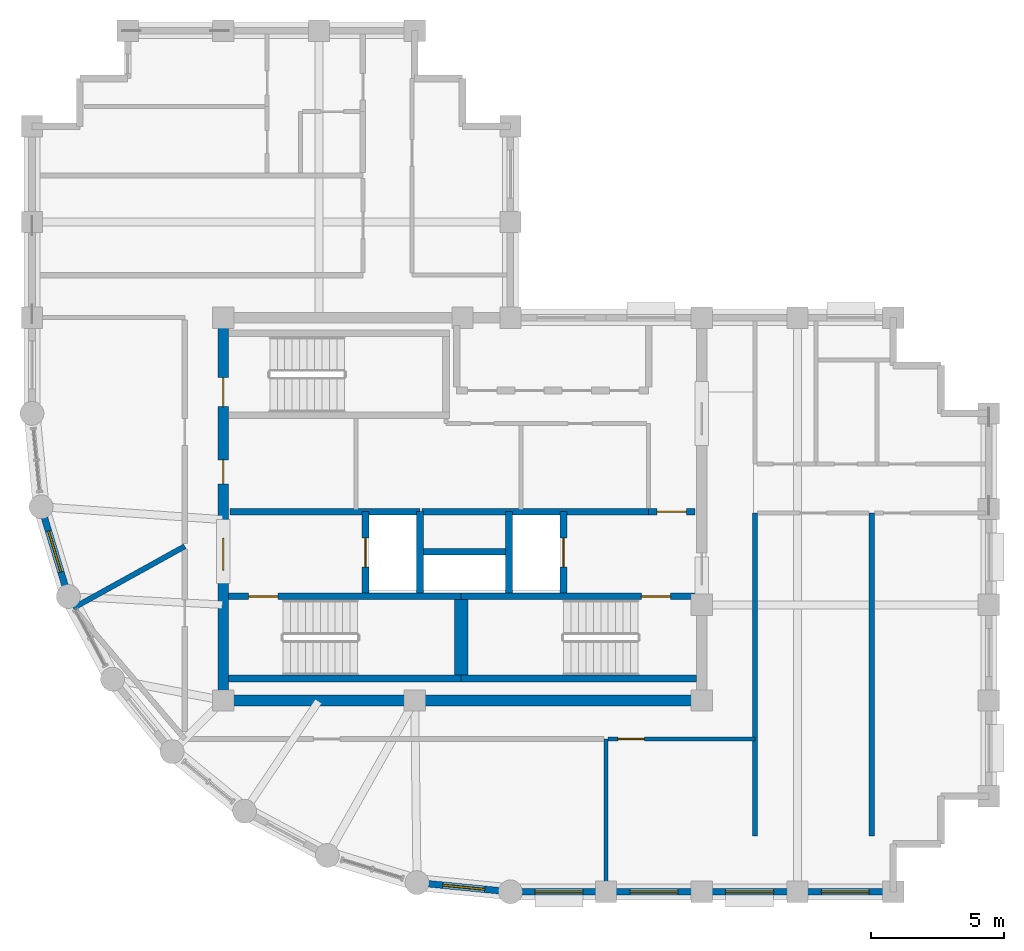
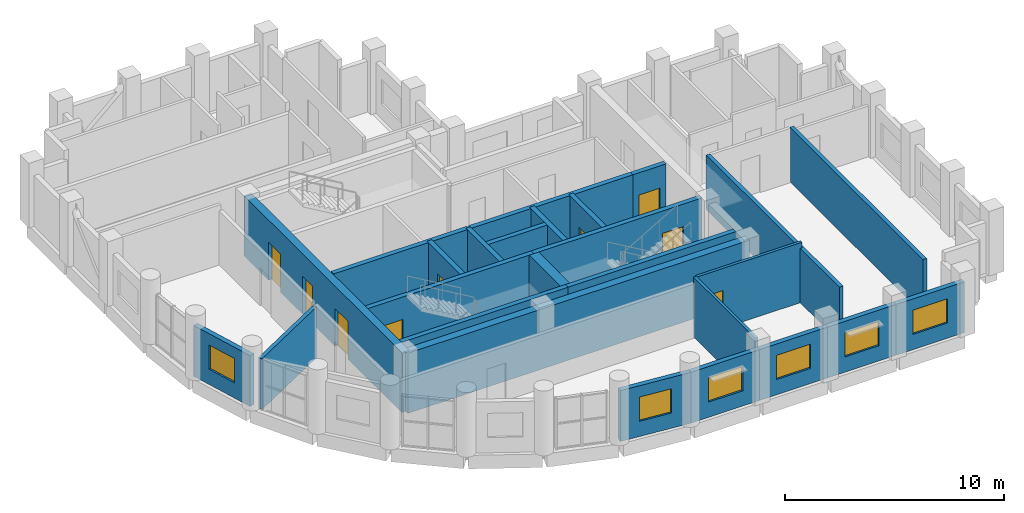
# One storey, part 7 of 11: 26 walls, 9 doors, 6 windows, 15 openings.
"""IFC4 building model written with IfcOpenShell, lengths in metres."""

import ifcopenshell
import ifcopenshell.guid

model = None  # the IFC model being written
_history = None  # IfcOwnerHistory: only IFC2X3 demands one
_inside = {}  # id of a spatial element -> (the spatial element, [elements in it])
_under = {}  # id of a project, library or spatial element -> (it, [spatial elements below it])
_declared = {}  # id of a project -> (the project, [libraries it declares])
_typed = {}  # id of a type object -> (the type object, [elements of that type])
_made_of = {}  # id of a material, layer set ... -> (it, [elements and type objects made of it])


def new_model(schema):
    """Start an empty IFC model of exactly this schema.

    Asked for "IFC4X3", IfcOpenShell would pick the latest addendum, in which some entities
    have other attributes; the version numbers below select the first issue.
    IFC2X3 requires an IfcOwnerHistory on every rooted entity: one is made here for all.
    """
    global model, _history
    if schema == "IFC4X3":
        model = ifcopenshell.file(schema_version=(4, 3, 0, 0))
    else:
        model = ifcopenshell.file(schema=schema)
    _inside.clear()
    _under.clear()
    _declared.clear()
    _typed.clear()
    _made_of.clear()
    _history = None
    if model.schema == "IFC2X3":
        org = make("IfcOrganization", Name="unknown")
        user = make(
            "IfcPersonAndOrganization",
            ThePerson=make("IfcPerson", FamilyName="unknown"),
            TheOrganization=org,
        )
        app = make(
            "IfcApplication",
            ApplicationDeveloper=org,
            Version="unknown",
            ApplicationFullName="unknown",
            ApplicationIdentifier="unknown",
        )
        _history = make(
            "IfcOwnerHistory",
            OwningUser=user,
            OwningApplication=app,
            ChangeAction="ADDED",
            CreationDate=0,
        )
    return model


def make(cls, **values):
    """One entity of the class cls with the attributes given. An attribute that is None is left unset."""
    return model.create_entity(
        cls, **{name: value for name, value in values.items() if value is not None}
    )


def rooted(cls, **values):
    """An entity with a GlobalId (a new one), such as an element, a storey or a relation."""
    return make(cls, GlobalId=ifcopenshell.guid.new(), OwnerHistory=_history, **values)


def si_unit(unit_type, name, prefix=None):
    """IfcSIUnit, for example si_unit("LENGTHUNIT", "METRE", prefix="MILLI")."""
    return make("IfcSIUnit", UnitType=unit_type, Prefix=prefix, Name=name)


def assignment(units):
    """IfcUnitAssignment: the units of a project."""
    return None if units is None else make("IfcUnitAssignment", Units=units)


def point(xyz):
    """IfcCartesianPoint."""
    return None if xyz is None else make("IfcCartesianPoint", Coordinates=xyz)


def direction(xyz):
    """IfcDirection."""
    return None if xyz is None else make("IfcDirection", DirectionRatios=xyz)


def frame(location, z_axis=None, x_axis=None):
    """IfcAxis2Placement3D, a coordinate frame: its origin and axes. An axis left out is left unset."""
    return make(
        "IfcAxis2Placement3D",
        Location=point(location),
        Axis=direction(z_axis),
        RefDirection=direction(x_axis),
    )


def frame_2d(location, x_axis=None):
    """IfcAxis2Placement2D, a coordinate frame in the plane: its origin and x axis."""
    return make(
        "IfcAxis2Placement2D", Location=point(location), RefDirection=direction(x_axis)
    )


def origin():
    """The frame at (0, 0, 0) with its axes left unset."""
    return frame((0.0, 0.0, 0.0))


def place(relative_to, where):
    """IfcLocalPlacement: puts the frame where relative to a parent placement (None: the world)."""
    return make(
        "IfcLocalPlacement", PlacementRelTo=relative_to, RelativePlacement=where
    )


def context(
    kind, dimensions, precision=None, world=None, true_north=None, identifier=None
):
    """IfcGeometricRepresentationContext, for example the 3D "Model" context."""
    return make(
        "IfcGeometricRepresentationContext",
        ContextIdentifier=identifier,
        ContextType=kind,
        CoordinateSpaceDimension=dimensions,
        Precision=precision,
        WorldCoordinateSystem=world,
        TrueNorth=true_north,
    )


def subcontext(parent, identifier, kind, view, scale=None):
    """IfcGeometricRepresentationSubContext, for example "Body" below "Model"."""
    return make(
        "IfcGeometricRepresentationSubContext",
        ContextIdentifier=identifier,
        ContextType=kind,
        ParentContext=parent,
        TargetScale=scale,
        TargetView=view,
    )


def project(units=None, contexts=None):
    """IfcProject with its units and contexts."""
    return rooted(
        "IfcProject",
        Name="project",
        RepresentationContexts=contexts,
        UnitsInContext=assignment(units),
    )


def spatial(cls, under=None, at=None, **own):
    """A site, building, storey or space (cls), placed at a placement, below another one or the project."""
    s = rooted(cls, ObjectPlacement=at, **own)
    if under is not None:
        _under.setdefault(under.id(), (under, []))[1].append(s)
    return s


def profile(cls, at=None, kind="AREA", **sizes):
    """A parametric profile (cls). Its sizes go by their IFC names, for example OverallWidth=200.0."""
    return make(cls, ProfileType=kind, Position=at, **sizes)


def rectangle(**sizes):
    """IfcRectangleProfileDef."""
    return profile("IfcRectangleProfileDef", **sizes)


def extrude(swept, where, along, depth):
    """IfcExtrudedAreaSolid: the profile swept, set in the frame where, extruded along a direction by depth."""
    return make(
        "IfcExtrudedAreaSolid",
        SweptArea=swept,
        Position=where,
        ExtrudedDirection=direction(along),
        Depth=depth,
    )


def shape(context_of_items, identifier, shape_type, items):
    """IfcShapeRepresentation: the items that make up one representation, for example the "Body"."""
    return make(
        "IfcShapeRepresentation",
        ContextOfItems=context_of_items,
        RepresentationIdentifier=identifier,
        RepresentationType=shape_type,
        Items=items,
    )


def material(Name=None, Category=None):
    """IfcMaterial."""
    return make("IfcMaterial", Name=Name, Category=Category)


def layer(
    of_material, thickness, ventilated=None, Name=None, Category=None, Priority=None
):
    """IfcMaterialLayer: one layer of a wall or slab, of a material (None: an air gap)."""
    return make(
        "IfcMaterialLayer",
        Material=of_material,
        LayerThickness=thickness,
        IsVentilated=ventilated,
        Name=Name,
        Category=Category,
        Priority=Priority,
    )


def layer_set(layers, Name=None):
    """IfcMaterialLayerSet."""
    return make("IfcMaterialLayerSet", MaterialLayers=layers, LayerSetName=Name)


def made_of(thing, what):
    """Note that an element or type object is made of a material, layer set ...; save() writes the relation."""
    if what is not None:
        _made_of.setdefault(what.id(), (what, []))[1].append(thing)
    return thing


def type_object(cls, material=None, **own):
    """A type object (cls), such as IfcWallType, which elements share."""
    return made_of(rooted(cls, **own), material)


def element(
    cls,
    number,
    at=None,
    inside=None,
    cuts=None,
    type_object=None,
    material=None,
    context=None,
    identifier="Body",
    shape_type=None,
    held_by="IfcProductDefinitionShape",
    body=None,
    shapes=None,
    **own,
):
    """One element of the class cls, such as IfcWall. Its Tag is "e" and its number.

    at: its placement. inside: the storey or other place that contains it. cuts: it is an
    opening in that element (IfcRelVoidsElement). A single representation is given by context,
    identifier, shape_type and body (its items); several are given by shapes. held_by: the class
    of the entity that holds the representations. save() writes the other relations.
    """
    e = rooted(cls, Tag="e%d" % number, ObjectPlacement=at, **own)
    if body is not None:
        shapes = [shape(context, identifier, shape_type, body)]
    if shapes is not None:
        e.Representation = make(held_by, Representations=shapes)
    if inside is not None:
        _inside.setdefault(inside.id(), (inside, []))[1].append(e)
    if cuts is not None:
        rooted(
            "IfcRelVoidsElement", RelatingBuildingElement=cuts, RelatedOpeningElement=e
        )
    if type_object is not None:
        _typed.setdefault(type_object.id(), (type_object, []))[1].append(e)
    return made_of(e, material)


def fill(opening, filler):
    """IfcRelFillsElement: the door or window that sits in an opening."""
    return rooted(
        "IfcRelFillsElement",
        RelatingOpeningElement=opening,
        RelatedBuildingElement=filler,
    )


def aggregate(whole, parts):
    """IfcRelAggregates: a whole, such as a stair, and the parts it consists of."""
    return rooted("IfcRelAggregates", RelatingObject=whole, RelatedObjects=parts)


def save(model, path):
    """Write the relations noted so far, then the file.

    IfcRelAggregates (storeys below a building ...), IfcRelContainedInSpatialStructure (elements
    in a storey), IfcRelDefinesByType, IfcRelAssociatesMaterial and IfcRelDeclares: one each for
    every whole, place, type object, material and project.
    """
    for whole, parts in _under.values():
        aggregate(whole, parts)
    for where, things in _inside.values():
        rooted(
            "IfcRelContainedInSpatialStructure",
            RelatedElements=things,
            RelatingStructure=where,
        )
    for kind, things in _typed.values():
        rooted("IfcRelDefinesByType", RelatedObjects=things, RelatingType=kind)
    for what, things in _made_of.values():
        rooted("IfcRelAssociatesMaterial", RelatedObjects=things, RelatingMaterial=what)
    for by, libraries in _declared.values():
        rooted("IfcRelDeclares", RelatingContext=by, RelatedDefinitions=libraries)
    model.write(path)


model = new_model("IFC4")

# Units and contexts
model_context = context("Model", 3, precision=1e-05, world=origin(), true_north=direction((0.0, 1.0)))
body_context = subcontext(model_context, "Body", "Model", "MODEL_VIEW")
ifc_project = project(units=[si_unit("LENGTHUNIT", "METRE"), si_unit("AREAUNIT", "SQUARE_METRE"), si_unit("VOLUMEUNIT", "CUBIC_METRE"), si_unit("PLANEANGLEUNIT", "RADIAN"), si_unit("MASSUNIT", "GRAM", prefix="KILO")], contexts=[model_context])

# Site, building, storey
site_placement = place(None, origin())
site = spatial("IfcSite", under=ifc_project, at=site_placement, CompositionType="ELEMENT")
building_placement = place(site_placement, origin())
building = spatial("IfcBuilding", under=site, at=building_placement, Name="Solnavia Interchange Tower", CompositionType="ELEMENT")
storey_placement = place(building_placement, frame((0.0, 0.0, 273.800048828125)))
storey = spatial("IfcBuildingStorey", under=building, at=storey_placement, Name="L69", CompositionType="ELEMENT", Elevation=273.800048828125)

# Walls
ifc_material_1 = material(Name="Gypsum Acoustic Twin-Stud & Mineral Wool", Category="gypsum")
ifc_layer_1 = layer(ifc_material_1, 0.199951171875)
ifc_layer_set_1 = layer_set([ifc_layer_1], Name="Gypsum Acoustic Twin-Stud & Mineral Wool")
wall_type_1 = type_object("IfcWallType", Name="Wall-ApartmentParty-200", PredefinedType="PARTITIONING", material=ifc_layer_set_1)
wall_1_placement = place(storey_placement, frame((12.949951171875, 16.60009765625, 0.0), z_axis=(0.0, 0.0, 1.0), x_axis=(-0.874941762978, -0.484228160475, 0.0)))
element("IfcWall", 1, at=wall_1_placement, inside=storey, type_object=wall_type_1, Name="PTW-L69-10 Interior partition wall", PredefinedType="PARTITIONING", context=body_context, shape_type="SweptSolid", body=[
    extrude(rectangle(XDim=4.793212890625, YDim=0.199951171875, at=frame_2d((2.396484375, 0.0))), origin(), (0.0, 0.0, 1.0), 2.829833984375),
])
for number, where, z_axis, x_axis, name in (
    (2, (34.39990234375, 5.699951171875, 0.0), (0.0, 0.0, 1.0), (0.0, 1.0, 0.0), "PTW-L69-15 Interior partition wall"),
    (3, (38.800048828125, 5.699951171875, 0.0), (0.0, 0.0, 1.0), (0.0, 1.0, 0.0), "PTW-L69-16 Interior partition wall"),
):
    element("IfcWall", number, at=place(storey_placement, frame(where, z_axis=z_axis, x_axis=x_axis)), inside=storey, type_object=wall_type_1, Name=name, PredefinedType="PARTITIONING", context=body_context, shape_type="SweptSolid", body=[
        extrude(rectangle(XDim=12.150146484375, YDim=0.199951171875, at=frame_2d((6.0751953125, 0.0))), origin(), (0.0, 0.0, 1.0), 3.030029296875),
    ])

# Wall, opening, window
ifc_material_2 = material(Name="Concrete C40/50", Category="concrete")
ifc_layer_2 = layer(ifc_material_2, 0.25)
ifc_layer_set_2 = layer_set([ifc_layer_2], Name="Concrete C40/50")
wall_type_2 = type_object("IfcWallType", Name="Wall-ExtSpandrel-250", PredefinedType="STANDARD", material=ifc_layer_set_2)
wall_2_placement = place(storey_placement, frame((28.800048828125, 3.60009765625, 0.0), z_axis=(0.0, 0.0, 1.0), x_axis=(-1.0, 0.0, 0.0)))
wall_2 = element("IfcWall", 4, at=wall_2_placement, inside=storey, type_object=wall_type_2, Name="EXW-L69-01 Exterior precast spandrel wall", PredefinedType="STANDARD", context=body_context, shape_type="SweptSolid", body=[
    extrude(rectangle(XDim=3.60009765625, YDim=0.25, at=frame_2d((1.800048828125, 0.0))), origin(), (0.0, 0.0, 1.0), 2.829833984375),
])
opening_1_placement = place(wall_2_placement, frame((0.875, 0.0, 0.85009765625)))
opening_1 = element("IfcOpeningElement", 5, at=opening_1_placement, cuts=wall_2, Name="Opening WIN-02", PredefinedType="OPENING", context=body_context, shape_type="SweptSolid", body=[
    extrude(rectangle(XDim=1.800048828125, YDim=1.35009765625, at=frame_2d((0.89990234375, 0.675048828125))), frame((0.0, 0.135009765625, 0.0), z_axis=(0.0, -1.0, 0.0), x_axis=(1.0, 0.0, 0.0)), (0.0, 0.0, 1.0), 0.27001953125),
])
ifc_material_3 = material(Name="Thermal-Break Aluminium & Low-E Glass", Category="aluminium")
window_type_1 = type_object("IfcWindowType", Name="Window-Ribbon-1800x1350", PartitioningType="SINGLE_PANEL", PredefinedType="WINDOW", material=ifc_material_3)
window_1_placement = place(opening_1_placement, origin())
window_1 = element("IfcWindow", 6, at=window_1_placement, inside=storey, type_object=window_type_1, Name="WIN-L69-01 Facade ribbon window", OverallHeight=1.35009765625, OverallWidth=1.800048828125, PartitioningType="SINGLE_PANEL", PredefinedType="WINDOW", context=body_context, shape_type="SweptSolid", body=[
    extrude(rectangle(XDim=1.800048828125, YDim=1.35009765625, at=frame_2d((0.89990234375, 0.675048828125))), frame((0.0, 0.030029296875, 0.0), z_axis=(0.0, -1.0, 0.0), x_axis=(1.0, 0.0, 0.0)), (0.0, 0.0, 1.0), 0.06005859375),
])
fill(opening_1, window_1)

wall_3_placement = place(storey_placement, frame((32.39990234375, 3.60009765625, 0.0), z_axis=(0.0, 0.0, 1.0), x_axis=(-1.0, 0.0, 0.0)))
wall_3 = element("IfcWall", 7, at=wall_3_placement, inside=storey, type_object=wall_type_2, Name="EXW-L69-02 Exterior precast spandrel wall", PredefinedType="STANDARD", context=body_context, shape_type="SweptSolid", body=[
    extrude(rectangle(XDim=3.599853515625, YDim=0.25, at=frame_2d((1.7998046875, 0.0))), origin(), (0.0, 0.0, 1.0), 2.829833984375),
])
opening_2_placement = place(wall_3_placement, frame((0.89990234375, 0.0, 0.85009765625)))
opening_2 = element("IfcOpeningElement", 8, at=opening_2_placement, cuts=wall_3, Name="Opening WIN-02", PredefinedType="OPENING", context=body_context, shape_type="SweptSolid", body=[
    extrude(rectangle(XDim=1.800048828125, YDim=1.35009765625, at=frame_2d((0.89990234375, 0.675048828125))), frame((0.0, 0.135009765625, 0.0), z_axis=(0.0, -1.0, 0.0), x_axis=(1.0, 0.0, 0.0)), (0.0, 0.0, 1.0), 0.27001953125),
])
window_2_placement = place(opening_2_placement, origin())
window_2 = element("IfcWindow", 9, at=window_2_placement, inside=storey, type_object=window_type_1, Name="WIN-L69-02 Facade ribbon window", OverallHeight=1.35009765625, OverallWidth=1.800048828125, PartitioningType="SINGLE_PANEL", PredefinedType="WINDOW", context=body_context, shape_type="SweptSolid", body=[
    extrude(rectangle(XDim=1.800048828125, YDim=1.35009765625, at=frame_2d((0.89990234375, 0.675048828125))), frame((0.0, 0.030029296875, 0.0), z_axis=(0.0, -1.0, 0.0), x_axis=(1.0, 0.0, 0.0)), (0.0, 0.0, 1.0), 0.06005859375),
])
fill(opening_2, window_2)

wall_4_placement = place(storey_placement, frame((36.0, 3.60009765625, 0.0), z_axis=(0.0, 0.0, 1.0), x_axis=(-1.0, 0.0, 0.0)))
wall_4 = element("IfcWall", 10, at=wall_4_placement, inside=storey, type_object=wall_type_2, Name="EXW-L69-03 Exterior precast spandrel wall", PredefinedType="STANDARD", context=body_context, shape_type="SweptSolid", body=[
    extrude(rectangle(XDim=3.60009765625, YDim=0.25, at=frame_2d((1.800048828125, 0.0))), origin(), (0.0, 0.0, 1.0), 2.829833984375),
])
opening_3_placement = place(wall_4_placement, frame((0.89990234375, 0.0, 0.85009765625)))
opening_3 = element("IfcOpeningElement", 11, at=opening_3_placement, cuts=wall_4, Name="Opening WIN-02", PredefinedType="OPENING", context=body_context, shape_type="SweptSolid", body=[
    extrude(rectangle(XDim=1.800048828125, YDim=1.35009765625, at=frame_2d((0.89990234375, 0.675048828125))), frame((0.0, 0.135009765625, 0.0), z_axis=(0.0, -1.0, 0.0), x_axis=(1.0, 0.0, 0.0)), (0.0, 0.0, 1.0), 0.27001953125),
])
window_3_placement = place(opening_3_placement, origin())
window_3 = element("IfcWindow", 12, at=window_3_placement, inside=storey, type_object=window_type_1, Name="WIN-L69-03 Facade ribbon window", OverallHeight=1.35009765625, OverallWidth=1.800048828125, PartitioningType="SINGLE_PANEL", PredefinedType="WINDOW", context=body_context, shape_type="SweptSolid", body=[
    extrude(rectangle(XDim=1.800048828125, YDim=1.35009765625, at=frame_2d((0.89990234375, 0.675048828125))), frame((0.0, 0.030029296875, 0.0), z_axis=(0.0, -1.0, 0.0), x_axis=(1.0, 0.0, 0.0)), (0.0, 0.0, 1.0), 0.06005859375),
])
fill(opening_3, window_3)

wall_5_placement = place(storey_placement, frame((39.60009765625, 3.60009765625, 0.0), z_axis=(0.0, 0.0, 1.0), x_axis=(-1.0, 0.0, 0.0)))
wall_5 = element("IfcWall", 13, at=wall_5_placement, inside=storey, type_object=wall_type_2, Name="EXW-L69-04 Exterior precast spandrel wall", PredefinedType="STANDARD", context=body_context, shape_type="SweptSolid", body=[
    extrude(rectangle(XDim=3.60009765625, YDim=0.25, at=frame_2d((1.800048828125, 0.0))), origin(), (0.0, 0.0, 1.0), 2.829833984375),
])
opening_4_placement = place(wall_5_placement, frame((0.89990234375, 0.0, 0.85009765625)))
opening_4 = element("IfcOpeningElement", 14, at=opening_4_placement, cuts=wall_5, Name="Opening WIN-02", PredefinedType="OPENING", context=body_context, shape_type="SweptSolid", body=[
    extrude(rectangle(XDim=1.800048828125, YDim=1.35009765625, at=frame_2d((0.89990234375, 0.675048828125))), frame((0.0, 0.135009765625, 0.0), z_axis=(0.0, -1.0, 0.0), x_axis=(1.0, 0.0, 0.0)), (0.0, 0.0, 1.0), 0.27001953125),
])
window_4_placement = place(opening_4_placement, origin())
window_4 = element("IfcWindow", 15, at=window_4_placement, inside=storey, type_object=window_type_1, Name="WIN-L69-04 Facade ribbon window", OverallHeight=1.35009765625, OverallWidth=1.800048828125, PartitioningType="SINGLE_PANEL", PredefinedType="WINDOW", context=body_context, shape_type="SweptSolid", body=[
    extrude(rectangle(XDim=1.800048828125, YDim=1.35009765625, at=frame_2d((0.89990234375, 0.675048828125))), frame((0.0, 0.030029296875, 0.0), z_axis=(0.0, -1.0, 0.0), x_axis=(1.0, 0.0, 0.0)), (0.0, 0.0, 1.0), 0.06005859375),
])
fill(opening_4, window_4)

wall_6_placement = place(storey_placement, frame((8.570068359375, 14.7119140625, 0.0), z_axis=(0.0, 0.0, 1.0), x_axis=(-0.290305086481, 0.956934144423, 0.0)))
wall_6 = element("IfcWall", 16, at=wall_6_placement, inside=storey, type_object=wall_type_2, Name="EXW-L69-38 Exterior precast spandrel wall", PredefinedType="STANDARD", context=body_context, shape_type="SweptSolid", body=[
    extrude(rectangle(XDim=3.52783203125, YDim=0.25, at=frame_2d((1.763916015625, 0.0))), origin(), (0.0, 0.0, 1.0), 2.829833984375),
])
opening_5_placement = place(wall_6_placement, frame((0.964111328125, 0.0, 0.85009765625)))
opening_5 = element("IfcOpeningElement", 17, at=opening_5_placement, cuts=wall_6, Name="Opening WIN-04", PredefinedType="OPENING", context=body_context, shape_type="SweptSolid", body=[
    extrude(rectangle(XDim=1.60009765625, YDim=1.35009765625, at=frame_2d((0.800048828125, 0.675048828125))), frame((0.0, 0.135009765625, 0.0), z_axis=(0.0, -1.0, 0.0), x_axis=(1.0, 0.0, 0.0)), (0.0, 0.0, 1.0), 0.27001953125),
])
window_type_2 = type_object("IfcWindowType", Name="Window-Drum-1600x1350", PartitioningType="SINGLE_PANEL", PredefinedType="WINDOW", material=ifc_material_3)
window_5_placement = place(opening_5_placement, origin())
window_5 = element("IfcWindow", 18, at=window_5_placement, inside=storey, type_object=window_type_2, Name="WIN-L69-38 Facade ribbon window", OverallHeight=1.35009765625, OverallWidth=1.60009765625, PartitioningType="SINGLE_PANEL", PredefinedType="WINDOW", context=body_context, shape_type="SweptSolid", body=[
    extrude(rectangle(XDim=1.60009765625, YDim=1.35009765625, at=frame_2d((0.800048828125, 0.675048828125))), frame((0.0, 0.030029296875, 0.0), z_axis=(0.0, -1.0, 0.0), x_axis=(1.0, 0.0, 0.0)), (0.0, 0.0, 1.0), 0.06005859375),
])
fill(opening_5, window_5)

wall_7_placement = place(storey_placement, frame((25.199951171875, 3.60009765625, 0.0), z_axis=(0.0, 0.0, 1.0), x_axis=(-0.995183369056, 0.098030923459, 0.0)))
wall_7 = element("IfcWall", 19, at=wall_7_placement, inside=storey, type_object=wall_type_2, Name="EXW-L69-44 Exterior precast spandrel wall", PredefinedType="STANDARD", context=body_context, shape_type="SweptSolid", body=[
    extrude(rectangle(XDim=3.529052734375, YDim=0.25, at=frame_2d((1.7646484375, 0.0))), origin(), (0.0, 0.0, 1.0), 2.829833984375),
])
opening_6_placement = place(wall_7_placement, frame((0.965087890625, 0.0, 0.85009765625)))
opening_6 = element("IfcOpeningElement", 20, at=opening_6_placement, cuts=wall_7, Name="Opening WIN-04", PredefinedType="OPENING", context=body_context, shape_type="SweptSolid", body=[
    extrude(rectangle(XDim=1.60009765625, YDim=1.35009765625, at=frame_2d((0.800048828125, 0.675048828125))), frame((0.0, 0.135009765625, 0.0), z_axis=(0.0, -1.0, 0.0), x_axis=(1.0, 0.0, 0.0)), (0.0, 0.0, 1.0), 0.27001953125),
])
window_6_placement = place(opening_6_placement, origin())
window_6 = element("IfcWindow", 21, at=window_6_placement, inside=storey, type_object=window_type_2, Name="WIN-L69-44 Facade ribbon window", OverallHeight=1.35009765625, OverallWidth=1.60009765625, PartitioningType="SINGLE_PANEL", PredefinedType="WINDOW", context=body_context, shape_type="SweptSolid", body=[
    extrude(rectangle(XDim=1.60009765625, YDim=1.35009765625, at=frame_2d((0.800048828125, 0.675048828125))), frame((0.0, 0.030029296875, 0.0), z_axis=(0.0, -1.0, 0.0), x_axis=(1.0, 0.0, 0.0)), (0.0, 0.0, 1.0), 0.06005859375),
])
fill(opening_6, window_6)

# Wall
ifc_material_4 = material(Name="Gypsum Plasterboard & Steel Stud", Category="steel")
ifc_layer_3 = layer(ifc_material_4, 0.14990234375)
ifc_layer_set_3 = layer_set([ifc_layer_3], Name="Gypsum Plasterboard & Steel Stud")
wall_type_3 = type_object("IfcWallType", Name="Wall-Partition-150", PredefinedType="PARTITIONING", material=ifc_layer_set_3)
wall_8_placement = place(storey_placement, frame((28.800048828125, 9.35009765625, 0.0), z_axis=(0.0, 0.0, 1.0), x_axis=(0.0, -1.0, 0.0)))
element("IfcWall", 22, at=wall_8_placement, inside=storey, type_object=wall_type_3, Name="PTW-L69-08 Interior partition wall", PredefinedType="PARTITIONING", context=body_context, shape_type="SweptSolid", body=[
    extrude(rectangle(XDim=5.62109375, YDim=0.14990234375, at=frame_2d((2.810546875, 0.0))), origin(), (0.0, 0.0, 1.0), 3.3349609375),
])

# Wall, opening, door
wall_9_placement = place(storey_placement, frame((28.87890625, 9.35009765625, 0.0), z_axis=(0.0, 0.0, 1.0), x_axis=(1.0, 0.0, 0.0)))
wall_9 = element("IfcWall", 23, at=wall_9_placement, inside=storey, type_object=wall_type_3, Name="PTW-L69-14 Interior partition wall", PredefinedType="PARTITIONING", context=body_context, shape_type="SweptSolid", body=[
    extrude(rectangle(XDim=5.52099609375, YDim=0.14990234375, at=frame_2d((2.760498046875, 0.0))), origin(), (0.0, 0.0, 1.0), 3.3349609375),
])
opening_7_placement = place(wall_9_placement, frame((0.360107421875, 0.0, 0.0)))
opening_7 = element("IfcOpeningElement", 24, at=opening_7_placement, cuts=wall_9, Name="Opening DR-07", PredefinedType="OPENING", context=body_context, shape_type="SweptSolid", body=[
    extrude(rectangle(XDim=1.0, YDim=2.10009765625, at=frame_2d((0.5, 1.050048828125))), frame((0.0, 0.0849609375, 0.0), z_axis=(0.0, -1.0, 0.0), x_axis=(1.0, 0.0, 0.0)), (0.0, 0.0, 1.0), 0.169921875),
])
ifc_material_5 = material(Name="Timber & Acoustic Glazed Office Door", Category="wood")
door_type_1 = type_object("IfcDoorType", Name="Door-Office-1000x2100", OperationType="SINGLE_SWING_RIGHT", PredefinedType="DOOR", material=ifc_material_5)
door_1_placement = place(opening_7_placement, origin())
door_1 = element("IfcDoor", 25, at=door_1_placement, inside=storey, type_object=door_type_1, Name="DR-L69-06 Interior room door", OperationType="SINGLE_SWING_LEFT", OverallHeight=2.10009765625, OverallWidth=1.0, PredefinedType="DOOR", context=body_context, shape_type="SweptSolid", body=[
    extrude(rectangle(XDim=1.0, YDim=2.10009765625, at=frame_2d((0.5, 1.050048828125))), frame((0.0, 0.02490234375, 0.0), z_axis=(0.0, -1.0, 0.0), x_axis=(1.0, 0.0, 0.0)), (0.0, 0.0, 1.0), 0.050048828125),
])
fill(opening_7, door_1)

# Wall
ifc_layer_4 = layer(ifc_material_2, 0.25)
ifc_layer_set_4 = layer_set([ifc_layer_4], Name="Concrete C40/50")
wall_type_4 = type_object("IfcWallType", Name="Wall-ShaftCore-250", PredefinedType="SHEAR", material=ifc_layer_set_4)
wall_10_placement = place(storey_placement, frame((14.60009765625, 11.625, 0.0), z_axis=(0.0, 0.0, 1.0), x_axis=(1.0, 0.0, 0.0)))
element("IfcWall", 26, at=wall_10_placement, inside=storey, type_object=wall_type_4, Name="SHW-L69-ST1S Core shear wall", PredefinedType="SHEAR", context=body_context, shape_type="SweptSolid", body=[
    extrude(rectangle(XDim=8.75, YDim=0.25, at=frame_2d((4.375, 0.0))), origin(), (0.0, 0.0, 1.0), 3.349853515625),
])

# Wall, opening, door
wall_11_placement = place(storey_placement, frame((14.60009765625, 14.715087890625, 0.0), z_axis=(0.0, 0.0, 1.0), x_axis=(1.0, 0.0, 0.0)))
wall_11 = element("IfcWall", 27, at=wall_11_placement, inside=storey, type_object=wall_type_4, Name="SHW-L69-ST1N Core shear wall", PredefinedType="SHEAR", context=body_context, shape_type="SweptSolid", body=[
    extrude(rectangle(XDim=8.75, YDim=0.25, at=frame_2d((4.375, 0.0))), origin(), (0.0, 0.0, 1.0), 3.349853515625),
])
opening_8_placement = place(wall_11_placement, frame((0.7548828125, 0.0, 0.0)))
opening_8 = element("IfcOpeningElement", 28, at=opening_8_placement, cuts=wall_11, Name="Opening DR-01", PredefinedType="OPENING", context=body_context, shape_type="SweptSolid", body=[
    extrude(rectangle(XDim=1.10009765625, YDim=2.10009765625, at=frame_2d((0.550048828125, 1.050048828125))), frame((0.0, 0.135009765625, 0.0), z_axis=(0.0, -1.0, 0.0), x_axis=(1.0, 0.0, 0.0)), (0.0, 0.0, 1.0), 0.27001953125),
])
ifc_material_6 = material(Name="Steel Fire-Rated Leaf & Frame", Category="steel")
door_type_2 = type_object("IfcDoorType", Name="Door-StairFire-1100x2100", OperationType="SINGLE_SWING_LEFT", PredefinedType="DOOR", material=ifc_material_6)
door_2_placement = place(opening_8_placement, origin())
door_2 = element("IfcDoor", 29, at=door_2_placement, inside=storey, type_object=door_type_2, Name="DR-L69-ST1 Core fire door", OperationType="SINGLE_SWING_LEFT", OverallHeight=2.10009765625, OverallWidth=1.10009765625, PredefinedType="DOOR", context=body_context, shape_type="SweptSolid", body=[
    extrude(rectangle(XDim=1.10009765625, YDim=2.10009765625, at=frame_2d((0.550048828125, 1.050048828125))), frame((0.0, 0.02490234375, 0.0), z_axis=(0.0, -1.0, 0.0), x_axis=(1.0, 0.0, 0.0)), (0.0, 0.0, 1.0), 0.050048828125),
])
fill(opening_8, door_2)

# Wall
wall_12_placement = place(storey_placement, frame((23.35009765625, 11.625, 0.0), z_axis=(0.0, 0.0, 1.0), x_axis=(1.0, 0.0, 0.0)))
element("IfcWall", 30, at=wall_12_placement, inside=storey, type_object=wall_type_4, Name="SHW-L69-ST2S Core shear wall", PredefinedType="SHEAR", context=body_context, shape_type="SweptSolid", body=[
    extrude(rectangle(XDim=8.849853515625, YDim=0.25, at=frame_2d((4.4248046875, 0.0))), origin(), (0.0, 0.0, 1.0), 3.349853515625),
])

# Wall, opening, door
wall_13_placement = place(storey_placement, frame((23.35009765625, 14.715087890625, 0.0), z_axis=(0.0, 0.0, 1.0), x_axis=(1.0, 0.0, 0.0)))
wall_13 = element("IfcWall", 31, at=wall_13_placement, inside=storey, type_object=wall_type_4, Name="SHW-L69-ST2N Core shear wall", PredefinedType="SHEAR", context=body_context, shape_type="SweptSolid", body=[
    extrude(rectangle(XDim=8.849853515625, YDim=0.25, at=frame_2d((4.4248046875, 0.0))), origin(), (0.0, 0.0, 1.0), 3.349853515625),
])
opening_9_placement = place(wall_13_placement, frame((6.77490234375, 0.0, 0.0)))
opening_9 = element("IfcOpeningElement", 32, at=opening_9_placement, cuts=wall_13, Name="Opening DR-01", PredefinedType="OPENING", context=body_context, shape_type="SweptSolid", body=[
    extrude(rectangle(XDim=1.10009765625, YDim=2.10009765625, at=frame_2d((0.550048828125, 1.050048828125))), frame((0.0, 0.135009765625, 0.0), z_axis=(0.0, -1.0, 0.0), x_axis=(1.0, 0.0, 0.0)), (0.0, 0.0, 1.0), 0.27001953125),
])
door_3_placement = place(opening_9_placement, origin())
door_3 = element("IfcDoor", 33, at=door_3_placement, inside=storey, type_object=door_type_2, Name="DR-L69-ST2 Core fire door", OperationType="SINGLE_SWING_LEFT", OverallHeight=2.10009765625, OverallWidth=1.10009765625, PredefinedType="DOOR", context=body_context, shape_type="SweptSolid", body=[
    extrude(rectangle(XDim=1.10009765625, YDim=2.10009765625, at=frame_2d((0.550048828125, 1.050048828125))), frame((0.0, 0.02490234375, 0.0), z_axis=(0.0, -1.0, 0.0), x_axis=(1.0, 0.0, 0.0)), (0.0, 0.0, 1.0), 0.050048828125),
])
fill(opening_9, door_3)

# Wall
ifc_layer_5 = layer(ifc_material_2, 0.25)
ifc_layer_set_5 = layer_set([ifc_layer_5], Name="Concrete C40/50")
wall_type_5 = type_object("IfcWallType", Name="Wall-ShaftPart-250", PredefinedType="PARTITIONING", material=ifc_layer_set_5)
wall_14_placement = place(storey_placement, frame((14.64990234375, 17.89990234375, 0.0), z_axis=(0.0, 0.0, 1.0), x_axis=(1.0, 0.0, 0.0)))
element("IfcWall", 34, at=wall_14_placement, inside=storey, type_object=wall_type_5, Name="SHW-L69-FFLW-N Core shaft wall", PredefinedType="PARTITIONING", context=body_context, shape_type="SweptSolid", body=[
    extrude(rectangle(XDim=7.150146484375, YDim=0.25, at=frame_2d((3.5751953125, 0.0))), origin(), (0.0, 0.0, 1.0), 3.3349609375),
])

# Wall, opening, door
wall_15_placement = place(storey_placement, frame((19.75, 14.840087890625, 0.0), z_axis=(0.0, 0.0, 1.0), x_axis=(0.0, 1.0, 0.0)))
wall_15 = element("IfcWall", 35, at=wall_15_placement, inside=storey, type_object=wall_type_5, Name="SHW-L69-FFL1-W Core shaft wall", PredefinedType="PARTITIONING", context=body_context, shape_type="SweptSolid", body=[
    extrude(rectangle(XDim=3.059814453125, YDim=0.25, at=frame_2d((1.52978515625, 0.0))), origin(), (0.0, 0.0, 1.0), 3.3349609375),
])
opening_10_placement = place(wall_15_placement, frame((0.97998046875, 0.0, 0.0)))
opening_10 = element("IfcOpeningElement", 36, at=opening_10_placement, cuts=wall_15, Name="Opening LD-01", PredefinedType="OPENING", context=body_context, shape_type="SweptSolid", body=[
    extrude(rectangle(XDim=1.10009765625, YDim=2.10009765625, at=frame_2d((0.550048828125, 1.050048828125))), frame((0.0, 0.135009765625, 0.0), z_axis=(0.0, -1.0, 0.0), x_axis=(1.0, 0.0, 0.0)), (0.0, 0.0, 1.0), 0.27001953125),
])
ifc_material_7 = material(Name="Brushed Stainless Steel Sliding Door", Category="steel")
door_type_3 = type_object("IfcDoorType", Name="Door-LiftLanding-1100x2100", OperationType="SLIDING_TO_LEFT", PredefinedType="DOOR", material=ifc_material_7)
door_4_placement = place(opening_10_placement, origin())
door_4 = element("IfcDoor", 37, at=door_4_placement, inside=storey, type_object=door_type_3, Name="LD-L69-FFL1 Lift landing sliding door", OperationType="SLIDING_TO_LEFT", OverallHeight=2.10009765625, OverallWidth=1.10009765625, PredefinedType="DOOR", context=body_context, shape_type="SweptSolid", body=[
    extrude(rectangle(XDim=1.10009765625, YDim=2.10009765625, at=frame_2d((0.550048828125, 1.050048828125))), frame((0.0, 0.02490234375, 0.0), z_axis=(0.0, -1.0, 0.0), x_axis=(1.0, 0.0, 0.0)), (0.0, 0.0, 1.0), 0.050048828125),
])
fill(opening_10, door_4)

# Walls
wall_16_placement = place(storey_placement, frame((21.800048828125, 14.840087890625, 0.0), z_axis=(0.0, 0.0, 1.0), x_axis=(0.0, 1.0, 0.0)))
element("IfcWall", 38, at=wall_16_placement, inside=storey, type_object=wall_type_5, Name="SHW-L69-FFL1-E Core shaft wall", PredefinedType="PARTITIONING", context=body_context, shape_type="SweptSolid", body=[
    extrude(rectangle(XDim=3.059814453125, YDim=0.25, at=frame_2d((1.52978515625, 0.0))), origin(), (0.0, 0.0, 1.0), 3.3349609375),
])
wall_17_placement = place(storey_placement, frame((21.8798828125, 17.89990234375, 0.0), z_axis=(0.0, 0.0, 1.0), x_axis=(1.0, 0.0, 0.0)))
element("IfcWall", 39, at=wall_17_placement, inside=storey, type_object=wall_type_5, Name="SHW-L69-FFLE-N1 Core shaft wall", PredefinedType="PARTITIONING", context=body_context, shape_type="SweptSolid", body=[
    extrude(rectangle(XDim=8.52001953125, YDim=0.25, at=frame_2d((4.260009765625, 0.0))), origin(), (0.0, 0.0, 1.0), 3.3349609375),
])

# Wall, opening, door
wall_18_placement = place(storey_placement, frame((30.39990234375, 17.89990234375, 0.0), z_axis=(0.0, 0.0, 1.0), x_axis=(1.0, 0.0, 0.0)))
wall_18 = element("IfcWall", 40, at=wall_18_placement, inside=storey, type_object=wall_type_5, Name="SHW-L69-FFLE-N2 Core shaft wall", PredefinedType="PARTITIONING", context=body_context, shape_type="SweptSolid", body=[
    extrude(rectangle(XDim=1.75, YDim=0.25, at=frame_2d((0.875, 0.0))), origin(), (0.0, 0.0, 1.0), 3.3349609375),
])
opening_11_placement = place(wall_18_placement, frame((0.320068359375, 0.0, 0.0)))
opening_11 = element("IfcOpeningElement", 41, at=opening_11_placement, cuts=wall_18, Name="Opening DR-01", PredefinedType="OPENING", context=body_context, shape_type="SweptSolid", body=[
    extrude(rectangle(XDim=1.10009765625, YDim=2.10009765625, at=frame_2d((0.550048828125, 1.050048828125))), frame((0.0, 0.135009765625, 0.0), z_axis=(0.0, -1.0, 0.0), x_axis=(1.0, 0.0, 0.0)), (0.0, 0.0, 1.0), 0.27001953125),
])
door_5_placement = place(opening_11_placement, origin())
door_5 = element("IfcDoor", 42, at=door_5_placement, inside=storey, type_object=door_type_2, Name="DR-L69-LLC Core fire door", OperationType="SINGLE_SWING_LEFT", OverallHeight=2.10009765625, OverallWidth=1.10009765625, PredefinedType="DOOR", context=body_context, shape_type="SweptSolid", body=[
    extrude(rectangle(XDim=1.10009765625, YDim=2.10009765625, at=frame_2d((0.550048828125, 1.050048828125))), frame((0.0, 0.02490234375, 0.0), z_axis=(0.0, -1.0, 0.0), x_axis=(1.0, 0.0, 0.0)), (0.0, 0.0, 1.0), 0.050048828125),
])
fill(opening_11, door_5)

# Wall
wall_19_placement = place(storey_placement, frame((25.14990234375, 14.840087890625, 0.0), z_axis=(0.0, 0.0, 1.0), x_axis=(0.0, 1.0, 0.0)))
element("IfcWall", 43, at=wall_19_placement, inside=storey, type_object=wall_type_5, Name="SHW-L69-FFL2-W Core shaft wall", PredefinedType="PARTITIONING", context=body_context, shape_type="SweptSolid", body=[
    extrude(rectangle(XDim=3.059814453125, YDim=0.25, at=frame_2d((1.52978515625, 0.0))), origin(), (0.0, 0.0, 1.0), 3.3349609375),
])

# Wall, opening, door
wall_20_placement = place(storey_placement, frame((27.199951171875, 14.840087890625, 0.0), z_axis=(0.0, 0.0, 1.0), x_axis=(0.0, 1.0, 0.0)))
wall_20 = element("IfcWall", 44, at=wall_20_placement, inside=storey, type_object=wall_type_5, Name="SHW-L69-FFL2-E Core shaft wall", PredefinedType="PARTITIONING", context=body_context, shape_type="SweptSolid", body=[
    extrude(rectangle(XDim=3.059814453125, YDim=0.25, at=frame_2d((1.52978515625, 0.0))), origin(), (0.0, 0.0, 1.0), 3.3349609375),
])
opening_12_placement = place(wall_20_placement, frame((0.97998046875, 0.0, 0.0)))
opening_12 = element("IfcOpeningElement", 45, at=opening_12_placement, cuts=wall_20, Name="Opening LD-01", PredefinedType="OPENING", context=body_context, shape_type="SweptSolid", body=[
    extrude(rectangle(XDim=1.10009765625, YDim=2.10009765625, at=frame_2d((0.550048828125, 1.050048828125))), frame((0.0, 0.135009765625, 0.0), z_axis=(0.0, -1.0, 0.0), x_axis=(1.0, 0.0, 0.0)), (0.0, 0.0, 1.0), 0.27001953125),
])
door_6_placement = place(opening_12_placement, origin())
door_6 = element("IfcDoor", 46, at=door_6_placement, inside=storey, type_object=door_type_3, Name="LD-L69-FFL2 Lift landing sliding door", OperationType="SLIDING_TO_LEFT", OverallHeight=2.10009765625, OverallWidth=1.10009765625, PredefinedType="DOOR", context=body_context, shape_type="SweptSolid", body=[
    extrude(rectangle(XDim=1.10009765625, YDim=2.10009765625, at=frame_2d((0.550048828125, 1.050048828125))), frame((0.0, 0.02490234375, 0.0), z_axis=(0.0, -1.0, 0.0), x_axis=(1.0, 0.0, 0.0)), (0.0, 0.0, 1.0), 0.050048828125),
])
fill(opening_12, door_6)

# Walls
wall_21_placement = place(storey_placement, frame((21.800048828125, 16.39990234375, 0.0), z_axis=(0.0, 0.0, 1.0), x_axis=(1.0, 0.0, 0.0)))
element("IfcWall", 47, at=wall_21_placement, inside=storey, type_object=wall_type_5, Name="SHW-L69-MEP-N Core shaft wall", PredefinedType="PARTITIONING", context=body_context, shape_type="SweptSolid", body=[
    extrude(rectangle(XDim=3.349853515625, YDim=0.25, at=frame_2d((1.6748046875, 0.0))), origin(), (0.0, 0.0, 1.0), 3.3349609375),
])
ifc_material_8 = material(Name="Concrete C50/60", Category="concrete")
ifc_layer_6 = layer(ifc_material_8, 0.39990234375)
ifc_layer_set_6 = layer_set([ifc_layer_6], Name="Concrete C50/60")
wall_type_6 = type_object("IfcWallType", Name="Wall-ShearCore-400", PredefinedType="SHEAR", material=ifc_layer_set_6)
wall_22_placement = place(storey_placement, frame((14.39990234375, 10.800048828125, 0.0), z_axis=(0.0, 0.0, 1.0), x_axis=(1.0, 0.0, 0.0)))
element("IfcWall", 48, at=wall_22_placement, inside=storey, type_object=wall_type_6, Name="CRW-L69-S Core shear wall", PredefinedType="SHEAR", context=body_context, shape_type="SweptSolid", body=[
    extrude(rectangle(XDim=18.0, YDim=0.39990234375, at=frame_2d((9.0, 0.0))), origin(), (0.0, 0.0, 1.0), 3.349853515625),
])

# Wall, openings, doors
wall_23_placement = place(storey_placement, frame((14.39990234375, 10.800048828125, 0.0), z_axis=(0.0, 0.0, 1.0), x_axis=(0.0, 1.0, 0.0)))
wall_23 = element("IfcWall", 49, at=wall_23_placement, inside=storey, type_object=wall_type_6, Name="CRW-L69-W Core shear wall", PredefinedType="SHEAR", context=body_context, shape_type="SweptSolid", body=[
    extrude(rectangle(XDim=14.39990234375, YDim=0.39990234375, at=frame_2d((7.199951171875, 0.0))), origin(), (0.0, 0.0, 1.0), 3.349853515625),
])
opening_13_placement = place(wall_23_placement, frame((11.050048828125, 0.0, 0.0)))
opening_13 = element("IfcOpeningElement", 50, at=opening_13_placement, cuts=wall_23, Name="Opening DR-01", PredefinedType="OPENING", context=body_context, shape_type="SweptSolid", body=[
    extrude(rectangle(XDim=1.10009765625, YDim=2.10009765625, at=frame_2d((0.550048828125, 1.050048828125))), frame((0.0, 0.2099609375, 0.0), z_axis=(0.0, -1.0, 0.0), x_axis=(1.0, 0.0, 0.0)), (0.0, 0.0, 1.0), 0.419921875),
])
opening_14_placement = place(wall_23_placement, frame((4.89990234375, 0.0, 0.0)))
opening_14 = element("IfcOpeningElement", 51, at=opening_14_placement, cuts=wall_23, Name="Opening DR-02", PredefinedType="OPENING", context=body_context, shape_type="SweptSolid", body=[
    extrude(rectangle(XDim=1.199951171875, YDim=2.10009765625, at=frame_2d((0.60009765625, 1.050048828125))), frame((0.0, 0.2099609375, 0.0), z_axis=(0.0, -1.0, 0.0), x_axis=(1.0, 0.0, 0.0)), (0.0, 0.0, 1.0), 0.419921875),
])
opening_15_placement = place(wall_23_placement, frame((8.14990234375, 0.0, 0.0)))
opening_15 = element("IfcOpeningElement", 52, at=opening_15_placement, cuts=wall_23, Name="Opening DR-09", PredefinedType="OPENING", context=body_context, shape_type="SweptSolid", body=[
    extrude(rectangle(XDim=0.89990234375, YDim=2.10009765625, at=frame_2d((0.449951171875, 1.050048828125))), frame((0.0, 0.2099609375, 0.0), z_axis=(0.0, -1.0, 0.0), x_axis=(1.0, 0.0, 0.0)), (0.0, 0.0, 1.0), 0.419921875),
])
ifc_material_9 = material(Name="Engineered Oak Veneer Door", Category="wood")
door_type_4 = type_object("IfcDoorType", Name="Door-Internal-900x2100", OperationType="SINGLE_SWING_LEFT", PredefinedType="DOOR", material=ifc_material_9)
door_7_placement = place(opening_15_placement, origin())
door_7 = element("IfcDoor", 53, at=door_7_placement, inside=storey, type_object=door_type_4, Name="DR-L69-CS1 Core fire door", OperationType="SINGLE_SWING_RIGHT", OverallHeight=2.10009765625, OverallWidth=0.89990234375, PredefinedType="DOOR", context=body_context, shape_type="SweptSolid", body=[
    extrude(rectangle(XDim=0.89990234375, YDim=2.10009765625, at=frame_2d((0.449951171875, 1.050048828125))), frame((0.0, 0.02490234375, 0.0), z_axis=(0.0, -1.0, 0.0), x_axis=(1.0, 0.0, 0.0)), (0.0, 0.0, 1.0), 0.050048828125),
])
fill(opening_15, door_7)
ifc_material_10 = material(Name="Steel Fire-Rated Vision-Panel Door", Category="steel")
door_type_5 = type_object("IfcDoorType", Name="Door-LobbyFire-1200x2100", OperationType="SINGLE_SWING_RIGHT", PredefinedType="DOOR", material=ifc_material_10)
door_8_placement = place(opening_14_placement, origin())
door_8 = element("IfcDoor", 54, at=door_8_placement, inside=storey, type_object=door_type_5, Name="DR-L69-FFL1W Core fire door", OperationType="SINGLE_SWING_RIGHT", OverallHeight=2.10009765625, OverallWidth=1.199951171875, PredefinedType="DOOR", context=body_context, shape_type="SweptSolid", body=[
    extrude(rectangle(XDim=1.199951171875, YDim=2.10009765625, at=frame_2d((0.60009765625, 1.050048828125))), frame((0.0, 0.02490234375, 0.0), z_axis=(0.0, -1.0, 0.0), x_axis=(1.0, 0.0, 0.0)), (0.0, 0.0, 1.0), 0.050048828125),
])
fill(opening_14, door_8)
door_9_placement = place(opening_13_placement, origin())
door_9 = element("IfcDoor", 55, at=door_9_placement, inside=storey, type_object=door_type_2, Name="DR-L69-ST3 Core fire door", OperationType="SINGLE_SWING_RIGHT", OverallHeight=2.10009765625, OverallWidth=1.10009765625, PredefinedType="DOOR", context=body_context, shape_type="SweptSolid", body=[
    extrude(rectangle(XDim=1.10009765625, YDim=2.10009765625, at=frame_2d((0.550048828125, 1.050048828125))), frame((0.0, 0.02490234375, 0.0), z_axis=(0.0, -1.0, 0.0), x_axis=(1.0, 0.0, 0.0)), (0.0, 0.0, 1.0), 0.050048828125),
])
fill(opening_13, door_9)

# Wall
ifc_material_11 = material(Name="Concrete C60/75", Category="concrete")
ifc_layer_7 = layer(ifc_material_11, 0.5)
ifc_layer_set_7 = layer_set([ifc_layer_7], Name="Concrete C60/75")
wall_type_7 = type_object("IfcWallType", Name="Wall-ShearCore-500", PredefinedType="SHEAR", material=ifc_layer_set_7)
wall_24_placement = place(storey_placement, frame((23.35009765625, 11.75, 0.0), z_axis=(0.0, 0.0, 1.0), x_axis=(0.0, 1.0, 0.0)))
element("IfcWall", 56, at=wall_24_placement, inside=storey, type_object=wall_type_7, Name="SHW-L69-ST12M Core shear wall", PredefinedType="SHEAR", context=body_context, shape_type="SweptSolid", body=[
    extrude(rectangle(XDim=2.840087890625, YDim=0.5, at=frame_2d((1.419921875, 0.0))), origin(), (0.0, 0.0, 1.0), 3.349853515625),
])

save(model, "model.ifc")
